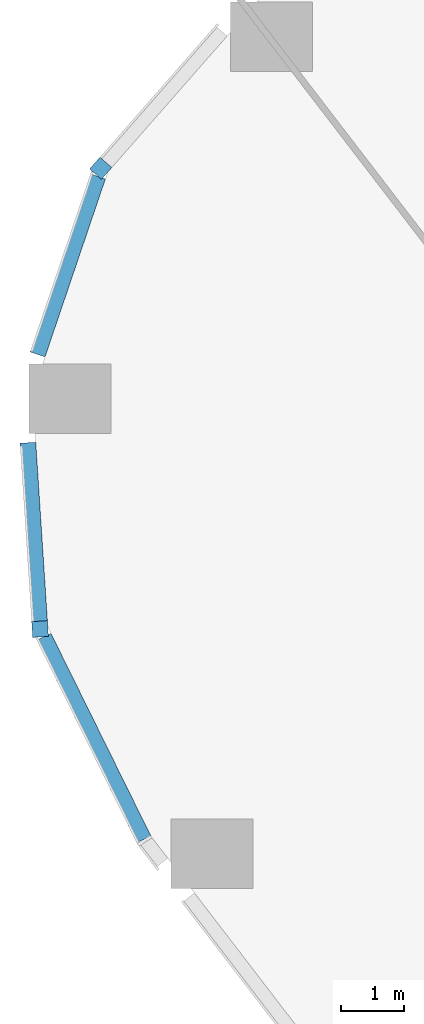
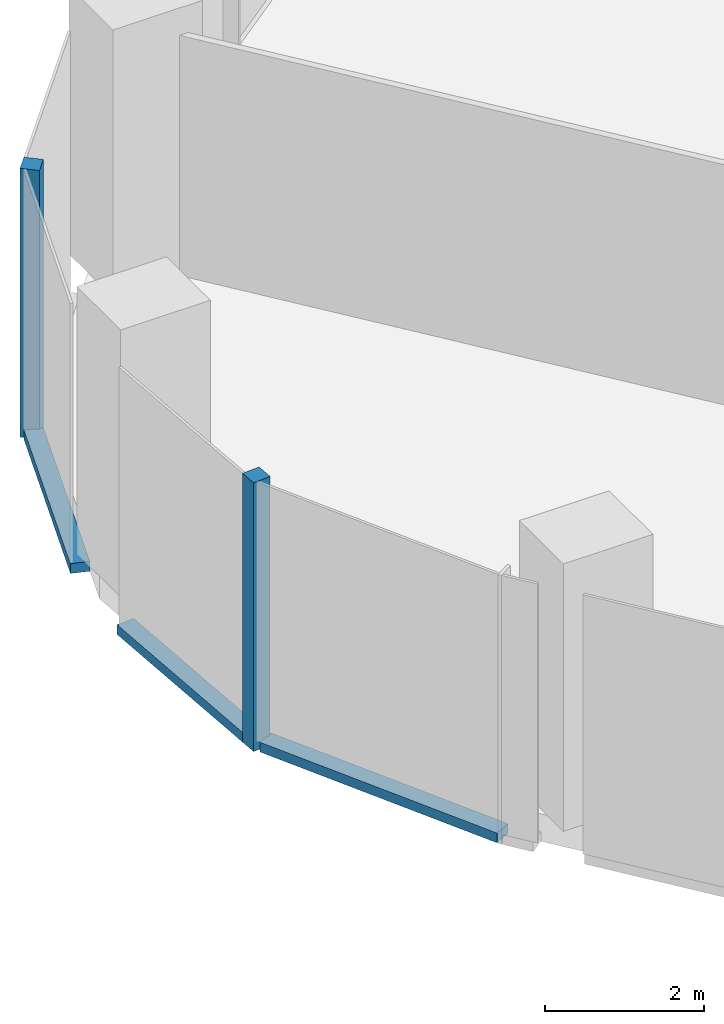
# One storey, part 3 of 29: 5 members, 4 elements without a shape of their own.
"""IFC4 building model written with IfcOpenShell, lengths in metres."""

import ifcopenshell
import ifcopenshell.guid

model = None  # the IFC model being written
_history = None  # IfcOwnerHistory: only IFC2X3 demands one
_inside = {}  # id of a spatial element -> (the spatial element, [elements in it])
_under = {}  # id of a project, library or spatial element -> (it, [spatial elements below it])
_declared = {}  # id of a project -> (the project, [libraries it declares])
_typed = {}  # id of a type object -> (the type object, [elements of that type])
_made_of = {}  # id of a material, layer set ... -> (it, [elements and type objects made of it])


def new_model(schema):
    """Start an empty IFC model of exactly this schema.

    Asked for "IFC4X3", IfcOpenShell would pick the latest addendum, in which some entities
    have other attributes; the version numbers below select the first issue.
    IFC2X3 requires an IfcOwnerHistory on every rooted entity: one is made here for all.
    """
    global model, _history
    if schema == "IFC4X3":
        model = ifcopenshell.file(schema_version=(4, 3, 0, 0))
    else:
        model = ifcopenshell.file(schema=schema)
    _inside.clear()
    _under.clear()
    _declared.clear()
    _typed.clear()
    _made_of.clear()
    _history = None
    if model.schema == "IFC2X3":
        org = make("IfcOrganization", Name="unknown")
        user = make(
            "IfcPersonAndOrganization",
            ThePerson=make("IfcPerson", FamilyName="unknown"),
            TheOrganization=org,
        )
        app = make(
            "IfcApplication",
            ApplicationDeveloper=org,
            Version="unknown",
            ApplicationFullName="unknown",
            ApplicationIdentifier="unknown",
        )
        _history = make(
            "IfcOwnerHistory",
            OwningUser=user,
            OwningApplication=app,
            ChangeAction="ADDED",
            CreationDate=0,
        )
    return model


def make(cls, **values):
    """One entity of the class cls with the attributes given. An attribute that is None is left unset."""
    return model.create_entity(
        cls, **{name: value for name, value in values.items() if value is not None}
    )


def rooted(cls, **values):
    """An entity with a GlobalId (a new one), such as an element, a storey or a relation."""
    return make(cls, GlobalId=ifcopenshell.guid.new(), OwnerHistory=_history, **values)


def si_unit(unit_type, name, prefix=None):
    """IfcSIUnit, for example si_unit("LENGTHUNIT", "METRE", prefix="MILLI")."""
    return make("IfcSIUnit", UnitType=unit_type, Prefix=prefix, Name=name)


def assignment(units):
    """IfcUnitAssignment: the units of a project."""
    return None if units is None else make("IfcUnitAssignment", Units=units)


def point(xyz):
    """IfcCartesianPoint."""
    return None if xyz is None else make("IfcCartesianPoint", Coordinates=xyz)


def direction(xyz):
    """IfcDirection."""
    return None if xyz is None else make("IfcDirection", DirectionRatios=xyz)


def frame(location, z_axis=None, x_axis=None):
    """IfcAxis2Placement3D, a coordinate frame: its origin and axes. An axis left out is left unset."""
    return make(
        "IfcAxis2Placement3D",
        Location=point(location),
        Axis=direction(z_axis),
        RefDirection=direction(x_axis),
    )


def frame_2d(location, x_axis=None):
    """IfcAxis2Placement2D, a coordinate frame in the plane: its origin and x axis."""
    return make(
        "IfcAxis2Placement2D", Location=point(location), RefDirection=direction(x_axis)
    )


def origin():
    """The frame at (0, 0, 0) with its axes left unset."""
    return frame((0.0, 0.0, 0.0))


def origin_2d():
    """The frame at (0, 0) in the plane with its x axis left unset."""
    return frame_2d((0.0, 0.0))


def place(relative_to, where):
    """IfcLocalPlacement: puts the frame where relative to a parent placement (None: the world)."""
    return make(
        "IfcLocalPlacement", PlacementRelTo=relative_to, RelativePlacement=where
    )


def context(
    kind, dimensions, precision=None, world=None, true_north=None, identifier=None
):
    """IfcGeometricRepresentationContext, for example the 3D "Model" context."""
    return make(
        "IfcGeometricRepresentationContext",
        ContextIdentifier=identifier,
        ContextType=kind,
        CoordinateSpaceDimension=dimensions,
        Precision=precision,
        WorldCoordinateSystem=world,
        TrueNorth=true_north,
    )


def subcontext(parent, identifier, kind, view, scale=None):
    """IfcGeometricRepresentationSubContext, for example "Body" below "Model"."""
    return make(
        "IfcGeometricRepresentationSubContext",
        ContextIdentifier=identifier,
        ContextType=kind,
        ParentContext=parent,
        TargetScale=scale,
        TargetView=view,
    )


def project(units=None, contexts=None):
    """IfcProject with its units and contexts."""
    return rooted(
        "IfcProject",
        Name="project",
        RepresentationContexts=contexts,
        UnitsInContext=assignment(units),
    )


def spatial(cls, under=None, at=None, **own):
    """A site, building, storey or space (cls), placed at a placement, below another one or the project."""
    s = rooted(cls, ObjectPlacement=at, **own)
    if under is not None:
        _under.setdefault(under.id(), (under, []))[1].append(s)
    return s


def profile(cls, at=None, kind="AREA", **sizes):
    """A parametric profile (cls). Its sizes go by their IFC names, for example OverallWidth=200.0."""
    return make(cls, ProfileType=kind, Position=at, **sizes)


def rectangle(**sizes):
    """IfcRectangleProfileDef."""
    return profile("IfcRectangleProfileDef", **sizes)


def extrude(swept, where, along, depth):
    """IfcExtrudedAreaSolid: the profile swept, set in the frame where, extruded along a direction by depth."""
    return make(
        "IfcExtrudedAreaSolid",
        SweptArea=swept,
        Position=where,
        ExtrudedDirection=direction(along),
        Depth=depth,
    )


def shape(context_of_items, identifier, shape_type, items):
    """IfcShapeRepresentation: the items that make up one representation, for example the "Body"."""
    return make(
        "IfcShapeRepresentation",
        ContextOfItems=context_of_items,
        RepresentationIdentifier=identifier,
        RepresentationType=shape_type,
        Items=items,
    )


def material(Name=None, Category=None):
    """IfcMaterial."""
    return make("IfcMaterial", Name=Name, Category=Category)


def material_profile(
    of_material, cross_section, Name=None, Category=None, Priority=None
):
    """IfcMaterialProfile: a cross section and its material."""
    return make(
        "IfcMaterialProfile",
        Name=Name,
        Material=of_material,
        Profile=cross_section,
        Priority=Priority,
        Category=Category,
    )


def profile_set(profiles, Name=None, composite=None):
    """IfcMaterialProfileSet."""
    return make(
        "IfcMaterialProfileSet",
        Name=Name,
        MaterialProfiles=profiles,
        CompositeProfile=composite,
    )


def made_of(thing, what):
    """Note that an element or type object is made of a material, layer set ...; save() writes the relation."""
    if what is not None:
        _made_of.setdefault(what.id(), (what, []))[1].append(thing)
    return thing


def type_object(cls, material=None, **own):
    """A type object (cls), such as IfcWallType, which elements share."""
    return made_of(rooted(cls, **own), material)


def element(
    cls,
    number,
    at=None,
    inside=None,
    cuts=None,
    type_object=None,
    material=None,
    context=None,
    identifier="Body",
    shape_type=None,
    held_by="IfcProductDefinitionShape",
    body=None,
    shapes=None,
    **own,
):
    """One element of the class cls, such as IfcWall. Its Tag is "e" and its number.

    at: its placement. inside: the storey or other place that contains it. cuts: it is an
    opening in that element (IfcRelVoidsElement). A single representation is given by context,
    identifier, shape_type and body (its items); several are given by shapes. held_by: the class
    of the entity that holds the representations. save() writes the other relations.
    """
    e = rooted(cls, Tag="e%d" % number, ObjectPlacement=at, **own)
    if body is not None:
        shapes = [shape(context, identifier, shape_type, body)]
    if shapes is not None:
        e.Representation = make(held_by, Representations=shapes)
    if inside is not None:
        _inside.setdefault(inside.id(), (inside, []))[1].append(e)
    if cuts is not None:
        rooted(
            "IfcRelVoidsElement", RelatingBuildingElement=cuts, RelatedOpeningElement=e
        )
    if type_object is not None:
        _typed.setdefault(type_object.id(), (type_object, []))[1].append(e)
    return made_of(e, material)


def aggregate(whole, parts):
    """IfcRelAggregates: a whole, such as a stair, and the parts it consists of."""
    return rooted("IfcRelAggregates", RelatingObject=whole, RelatedObjects=parts)


def save(model, path):
    """Write the relations noted so far, then the file.

    IfcRelAggregates (storeys below a building ...), IfcRelContainedInSpatialStructure (elements
    in a storey), IfcRelDefinesByType, IfcRelAssociatesMaterial and IfcRelDeclares: one each for
    every whole, place, type object, material and project.
    """
    for whole, parts in _under.values():
        aggregate(whole, parts)
    for where, things in _inside.values():
        rooted(
            "IfcRelContainedInSpatialStructure",
            RelatedElements=things,
            RelatingStructure=where,
        )
    for kind, things in _typed.values():
        rooted("IfcRelDefinesByType", RelatedObjects=things, RelatingType=kind)
    for what, things in _made_of.values():
        rooted("IfcRelAssociatesMaterial", RelatedObjects=things, RelatingMaterial=what)
    for by, libraries in _declared.values():
        rooted("IfcRelDeclares", RelatingContext=by, RelatedDefinitions=libraries)
    model.write(path)


model = new_model("IFC4")

# Units and contexts
model_context = context("Model", 3, precision=1e-05, world=origin(), true_north=direction((0.0, 1.0)))
body_context = subcontext(model_context, "Body", "Model", "MODEL_VIEW")
ifc_project = project(units=[si_unit("LENGTHUNIT", "METRE"), si_unit("AREAUNIT", "SQUARE_METRE"), si_unit("VOLUMEUNIT", "CUBIC_METRE"), si_unit("PLANEANGLEUNIT", "RADIAN"), si_unit("MASSUNIT", "GRAM", prefix="KILO")], contexts=[model_context])

# Site, building, storey
site_placement = place(None, origin())
site = spatial("IfcSite", under=ifc_project, at=site_placement, CompositionType="ELEMENT")
building_placement = place(site_placement, origin())
building = spatial("IfcBuilding", under=site, at=building_placement, Name="Orlundy Tower", CompositionType="ELEMENT")
storey_placement = place(building_placement, frame((0.0, 0.0, 25.10009765625)))
storey = spatial("IfcBuildingStorey", under=building, at=storey_placement, Name="L04", CompositionType="ELEMENT", Elevation=25.10009765625)

# Curtain wall, member
ifc_material_1 = material(Name="Aluminium bronze anodised", Category="aluminium")
curtain_wall_type = type_object("IfcCurtainWallType", Name="CW2 wall", PredefinedType="NOTDEFINED", material=ifc_material_1)
curtain_wall_1_placement = place(storey_placement, origin())
curtain_wall_1 = element("IfcCurtainWall", 1, at=curtain_wall_1_placement, inside=storey, type_object=curtain_wall_type, Name="CW2 run 09", PredefinedType="NOTDEFINED")
ifc_material_2 = material(Name="Aluminium bronze anodised", Category="aluminium")
ifc_material_profile_1 = material_profile(ifc_material_2, rectangle(XDim=0.25, YDim=0.25, at=origin_2d()), Name="CW2 corner post 250x250")
ifc_profile_set_1 = profile_set([ifc_material_profile_1], Name="Aluminium bronze anodised")
member_type_1 = type_object("IfcMemberType", Name="CW2 corner post 250x250", PredefinedType="MULLION", material=ifc_profile_set_1)
member_1_placement = place(storey_placement, frame((-55.359130859375, -24.60009765625, -0.420166015625), z_axis=(0.0, 0.0, 1.0), x_axis=(-0.997866755389, -0.065283523877, 0.0)))
member_1 = element("IfcMember", 2, at=member_1_placement, type_object=member_type_1, Name="CW2 mullion 23", PredefinedType="MULLION", context=body_context, shape_type="SweptSolid", body=[
    extrude(rectangle(XDim=0.25, YDim=0.25, at=origin_2d()), origin(), (0.0, 0.0, 1.0), 4.1201171875),
])

curtain_wall_2_placement = place(storey_placement, origin())
curtain_wall_2 = element("IfcCurtainWall", 3, at=curtain_wall_2_placement, inside=storey, type_object=curtain_wall_type, Name="CW2 run 011", PredefinedType="NOTDEFINED")
member_2_placement = place(storey_placement, frame((-54.3974609375, -17.294189453125, -0.420166015625), z_axis=(0.0, 0.0, 1.0), x_axis=(-0.751857647447, 0.65932547196, 0.0)))
member_2 = element("IfcMember", 4, at=member_2_placement, type_object=member_type_1, Name="CW2 mullion 25", PredefinedType="MULLION", context=body_context, shape_type="SweptSolid", body=[
    extrude(rectangle(XDim=0.25, YDim=0.25, at=origin_2d()), origin(), (0.0, 0.0, 1.0), 4.1201171875),
])
aggregate(curtain_wall_2, [member_2])

curtain_wall_3_placement = place(storey_placement, origin())
curtain_wall_3 = element("IfcCurtainWall", 5, at=curtain_wall_3_placement, inside=storey, type_object=curtain_wall_type, Name="CW2 run 08", PredefinedType="NOTDEFINED")
ifc_material_3 = material(Name="Aluminium bronze anodised", Category="aluminium")
ifc_material_profile_2 = material_profile(ifc_material_3, rectangle(XDim=0.25, YDim=0.14990234375, at=origin_2d()), Name="CW2 transom 250x150")
ifc_profile_set_2 = profile_set([ifc_material_profile_2], Name="Aluminium bronze anodised")
member_type_2 = type_object("IfcMemberType", Name="CW2 transom 250x150", PredefinedType="USERDEFINED", material=ifc_profile_set_2)
member_3_placement = place(storey_placement, frame((-53.71484375, -27.934814453125, -0.34521484375), z_axis=(-0.442245930509, 0.896893827021, 0.0), x_axis=(-0.896893827021, -0.442245930509, 0.0)))
member_3 = element("IfcMember", 6, at=member_3_placement, type_object=member_type_2, Name="CW2 transom", ObjectType="TRANSOM", PredefinedType="USERDEFINED", context=body_context, shape_type="SweptSolid", body=[
    extrude(rectangle(XDim=0.25, YDim=0.14990234375, at=origin_2d()), origin(), (0.0, 0.0, 1.0), 3.582763671875),
])
aggregate(curtain_wall_3, [member_3])

# Member
member_4_placement = place(storey_placement, frame((-55.3671875, -24.475341796875, -0.34521484375), z_axis=(-0.065267391535, 0.997867810685, 0.0), x_axis=(-0.997867810685, -0.065267391535, 0.0)))
member_4 = element("IfcMember", 7, at=member_4_placement, type_object=member_type_2, Name="CW2 transom", ObjectType="TRANSOM", PredefinedType="USERDEFINED", context=body_context, shape_type="SweptSolid", body=[
    extrude(rectangle(XDim=0.25, YDim=0.14990234375, at=origin_2d()), origin(), (0.0, 0.0, 1.0), 2.83544921875),
])

aggregate(curtain_wall_1, [member_1, member_4])

# Curtain wall, member
curtain_wall_4_placement = place(storey_placement, origin())
curtain_wall_4 = element("IfcCurtainWall", 8, at=curtain_wall_4_placement, inside=storey, type_object=curtain_wall_type, Name="CW2 run 010", PredefinedType="NOTDEFINED")
member_5_placement = place(storey_placement, frame((-55.39892578125, -20.24609375, -0.34521484375), z_axis=(0.321283233247, 0.94698314876, 0.0), x_axis=(-0.94698314876, 0.321283233247, 0.0)))
member_5 = element("IfcMember", 9, at=member_5_placement, type_object=member_type_2, Name="CW2 transom", ObjectType="TRANSOM", PredefinedType="USERDEFINED", context=body_context, shape_type="SweptSolid", body=[
    extrude(rectangle(XDim=0.25, YDim=0.14990234375, at=origin_2d()), origin(), (0.0, 0.0, 1.0), 2.98193359375),
])
aggregate(curtain_wall_4, [member_5])

save(model, "model.ifc")
